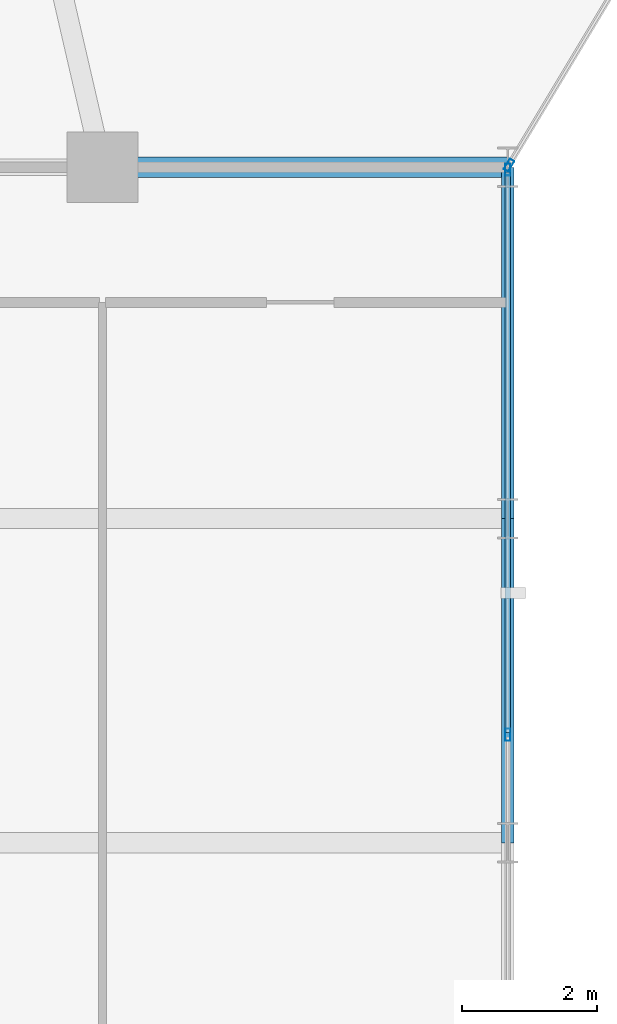
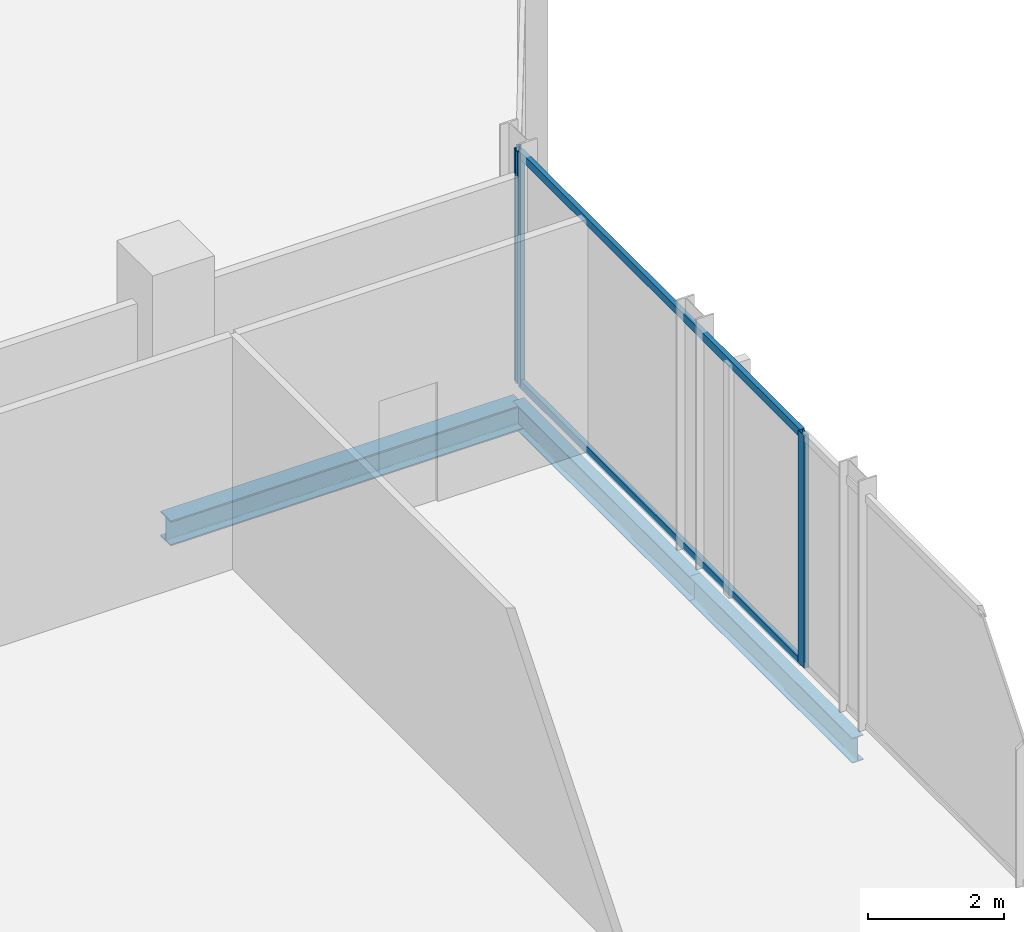
# One storey, part 12 of 31: 5 members, 3 beams, 2 elements without a shape of their own.
"""IFC4 building model written with IfcOpenShell, lengths in metres."""

from ifc_helpers import new_model, si_unit, direction, frame, origin, origin_2d, place, context, subcontext, project, spatial, hollow_rectangle, i_section, extrude, material, layer, layer_set, material_profile, profile_set, type_object, element, aggregate, save


model = new_model("IFC4")

# Units and contexts
model_context = context("Model", 3, precision=1e-05, world=origin(), true_north=direction((0.0, 1.0)))
body_context = subcontext(model_context, "Body", "Model", "MODEL_VIEW")
ifc_project = project(units=[si_unit("LENGTHUNIT", "METRE"), si_unit("AREAUNIT", "SQUARE_METRE"), si_unit("VOLUMEUNIT", "CUBIC_METRE"), si_unit("PLANEANGLEUNIT", "RADIAN"), si_unit("MASSUNIT", "GRAM", prefix="KILO")], contexts=[model_context])

# Site, building, storey
site_placement = place(None, origin())
site = spatial("IfcSite", under=ifc_project, at=site_placement, CompositionType="ELEMENT")
building_placement = place(site_placement, origin())
building = spatial("IfcBuilding", under=site, at=building_placement, Name="Keshet Zoharim Tower", CompositionType="ELEMENT")
storey_placement = place(building_placement, frame((0.0, 0.0, 125.300048828125)))
storey = spatial("IfcBuildingStorey", under=building, at=storey_placement, Name="L30", CompositionType="ELEMENT", Elevation=125.300048828125)

# Beams
ifc_material_1 = material(Name="Steel S355", Category="steel")
ifc_material_profile_1 = material_profile(ifc_material_1, i_section(OverallWidth=0.18994140625, OverallDepth=0.449951171875, WebThickness=0.009521484375, FlangeThickness=0.0146484375, FilletRadius=0.02099609375, at=origin_2d()), Name="IPE450")
ifc_profile_set_1 = profile_set([ifc_material_profile_1], Name="Steel S355")
beam_type_1 = type_object("IfcBeamType", Name="BM-PRI-IP450", PredefinedType="BEAM", material=ifc_profile_set_1)
beam_1_placement = place(storey_placement, frame((57.0, 17.89990234375, -0.545166015625), z_axis=(0.0, 1.0, 0.0), x_axis=(-1.0, 0.0, 0.0)))
element("IfcBeam", 1, at=beam_1_placement, inside=storey, type_object=beam_type_1, Name="L30 Primary Girder Y-015", PredefinedType="BEAM", context=body_context, shape_type="SweptSolid", body=[
    extrude(i_section(OverallWidth=0.18994140625, OverallDepth=0.449951171875, WebThickness=0.009521484375, FlangeThickness=0.0146484375, FilletRadius=0.02099609375, at=origin_2d()), origin(), (0.0, 0.0, 1.0), 4.800048828125),
])
beam_2_placement = place(storey_placement, frame((57.0, 22.699951171875, -0.545166015625), z_axis=(0.0, 1.0, 0.0), x_axis=(-1.0, 0.0, 0.0)))
element("IfcBeam", 2, at=beam_2_placement, inside=storey, type_object=beam_type_1, Name="L30 Primary Girder Y-016", PredefinedType="BEAM", context=body_context, shape_type="SweptSolid", body=[
    extrude(i_section(OverallWidth=0.18994140625, OverallDepth=0.449951171875, WebThickness=0.009521484375, FlangeThickness=0.0146484375, FilletRadius=0.02099609375, at=origin_2d()), origin(), (0.0, 0.0, 1.0), 5.199951171875),
])
ifc_material_profile_2 = material_profile(ifc_material_1, i_section(OverallWidth=0.300048828125, OverallDepth=0.449951171875, WebThickness=0.013916015625, FlangeThickness=0.02587890625, FilletRadius=0.027099609375, at=origin_2d()), Name="HEB450")
ifc_profile_set_2 = profile_set([ifc_material_profile_2], Name="Steel S355")
beam_type_2 = type_object("IfcBeamType", Name="BM-WEB-HB450", PredefinedType="BEAM", material=ifc_profile_set_2)
beam_3_placement = place(storey_placement, frame((51.0, 27.89990234375, -0.545166015625), z_axis=(1.0, 0.0, 0.0), x_axis=(0.0, 1.0, 0.0)))
element("IfcBeam", 3, at=beam_3_placement, inside=storey, type_object=beam_type_2, Name="L30 Primary Girder X-017", PredefinedType="BEAM", context=body_context, shape_type="SweptSolid", body=[
    extrude(i_section(OverallWidth=0.300048828125, OverallDepth=0.449951171875, WebThickness=0.013916015625, FlangeThickness=0.02587890625, FilletRadius=0.027099609375, at=origin_2d()), origin(), (0.0, 0.0, 1.0), 6.0),
])

# Curtain wall, member
ifc_material_2 = material(Name="Aluminium 6063-T6", Category="aluminium")
ifc_layer = layer(ifc_material_2, 0.14990234375)
ifc_layer_set = layer_set([ifc_layer], Name="Aluminium 6063-T6")
curtain_wall_type = type_object("IfcCurtainWallType", Name="CW-SYS-04", PredefinedType="NOTDEFINED", material=ifc_layer_set)
curtain_wall_1_placement = place(storey_placement, origin())
curtain_wall_1 = element("IfcCurtainWall", 4, at=curtain_wall_1_placement, inside=storey, type_object=curtain_wall_type, Name="L30 Unitised Curtain Wall 05", PredefinedType="NOTDEFINED")
ifc_material_profile_3 = material_profile(ifc_material_2, hollow_rectangle(XDim=0.080078125, YDim=0.179931640625, WallThickness=0.00439453125, at=origin_2d()), Name="MUL-80x180")
ifc_profile_set_3 = profile_set([ifc_material_profile_3], Name="Aluminium 6063-T6")
member_type_1 = type_object("IfcMemberType", Name="CWM-M18", PredefinedType="MULLION", material=ifc_profile_set_3)
member_1_placement = place(storey_placement, frame((57.01806640625, 27.929931640625, 0.0), z_axis=(0.0, 0.0, 1.0), x_axis=(0.857501477862, -0.514481501576, 0.0)))
member_1 = element("IfcMember", 5, at=member_1_placement, type_object=member_type_1, Name="CW-04 mullion 2", PredefinedType="MULLION", context=body_context, shape_type="SweptSolid", body=[
    extrude(hollow_rectangle(XDim=0.080078125, YDim=0.179931640625, WallThickness=0.00439453125, at=origin_2d()), origin(), (0.0, 0.0, 1.0), 4.18505859375),
])
aggregate(curtain_wall_1, [member_1])

# Curtain wall, members
curtain_wall_2_placement = place(storey_placement, origin())
curtain_wall_2 = element("IfcCurtainWall", 6, at=curtain_wall_2_placement, inside=storey, type_object=curtain_wall_type, Name="L30 Unitised Curtain Wall 06", PredefinedType="NOTDEFINED")
member_2_placement = place(storey_placement, frame((57.0, 27.864990234375, 0.0), z_axis=(0.0, 0.0, 1.0), x_axis=(1.0, 0.0, 0.0)))
member_2 = element("IfcMember", 7, at=member_2_placement, type_object=member_type_1, Name="CW-04 mullion 1", PredefinedType="MULLION", context=body_context, shape_type="SweptSolid", body=[
    extrude(hollow_rectangle(XDim=0.080078125, YDim=0.179931640625, WallThickness=0.00439453125, at=origin_2d()), origin(), (0.0, 0.0, 1.0), 4.18505859375),
])
member_3_placement = place(storey_placement, frame((57.0, 19.5, 0.0), z_axis=(0.0, 0.0, 1.0), x_axis=(1.0, 0.0, 0.0)))
member_3 = element("IfcMember", 8, at=member_3_placement, type_object=member_type_1, Name="CW-04 mullion 2", PredefinedType="MULLION", context=body_context, shape_type="SweptSolid", body=[
    extrude(hollow_rectangle(XDim=0.080078125, YDim=0.179931640625, WallThickness=0.00439453125, at=origin_2d()), origin(), (0.0, 0.0, 1.0), 4.18505859375),
])
ifc_material_profile_4 = material_profile(ifc_material_2, hollow_rectangle(XDim=0.080078125, YDim=0.139892578125, WallThickness=0.00390625, at=origin_2d()), Name="TRN-80x140")
ifc_profile_set_4 = profile_set([ifc_material_profile_4], Name="Aluminium 6063-T6")
member_type_2 = type_object("IfcMemberType", Name="CWT-T14", PredefinedType="USERDEFINED", material=ifc_profile_set_4)
member_4_placement = place(storey_placement, frame((57.0, 27.830078125, 0.034912109375), z_axis=(0.0, -1.0, 0.0), x_axis=(1.0, 0.0, 0.0)))
member_4 = element("IfcMember", 9, at=member_4_placement, type_object=member_type_2, Name="CW-04 transom 1.1", ObjectType="TRANSOM", PredefinedType="USERDEFINED", context=body_context, shape_type="SweptSolid", body=[
    extrude(hollow_rectangle(XDim=0.080078125, YDim=0.139892578125, WallThickness=0.00390625, at=origin_2d()), origin(), (0.0, 0.0, 1.0), 8.295166015625),
])
member_5_placement = place(storey_placement, frame((57.0, 27.830078125, 4.14990234375), z_axis=(0.0, -1.0, 0.0), x_axis=(1.0, 0.0, 0.0)))
member_5 = element("IfcMember", 10, at=member_5_placement, type_object=member_type_2, Name="CW-04 transom 1.2", ObjectType="TRANSOM", PredefinedType="USERDEFINED", context=body_context, shape_type="SweptSolid", body=[
    extrude(hollow_rectangle(XDim=0.080078125, YDim=0.139892578125, WallThickness=0.00390625, at=origin_2d()), origin(), (0.0, 0.0, 1.0), 8.295166015625),
])
aggregate(curtain_wall_2, [member_2, member_3, member_4, member_5])

save(model, "model.ifc")
